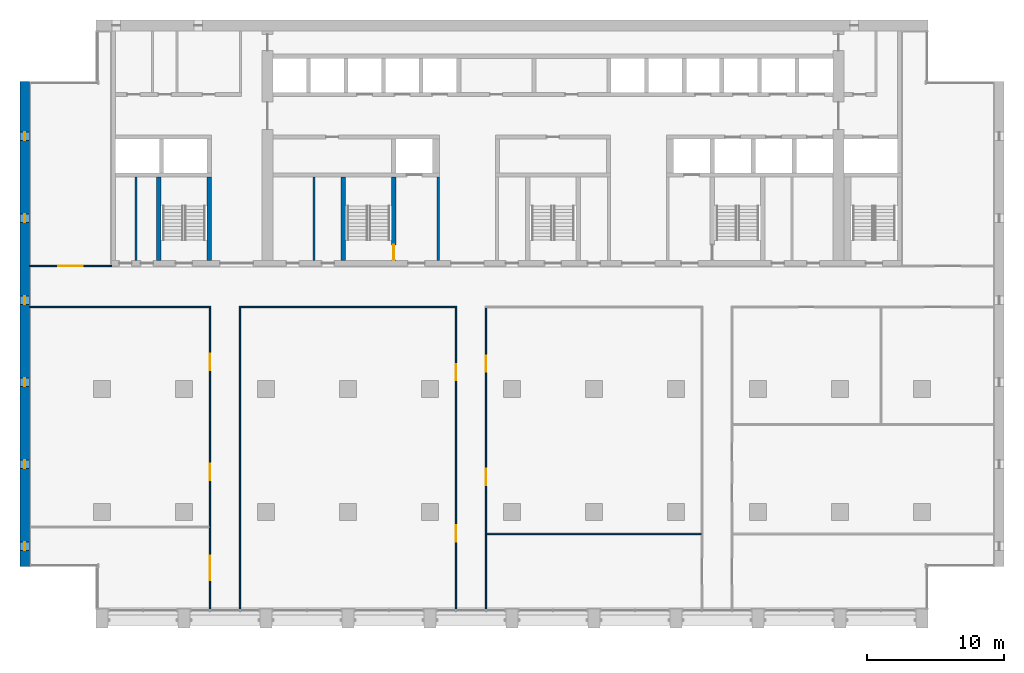
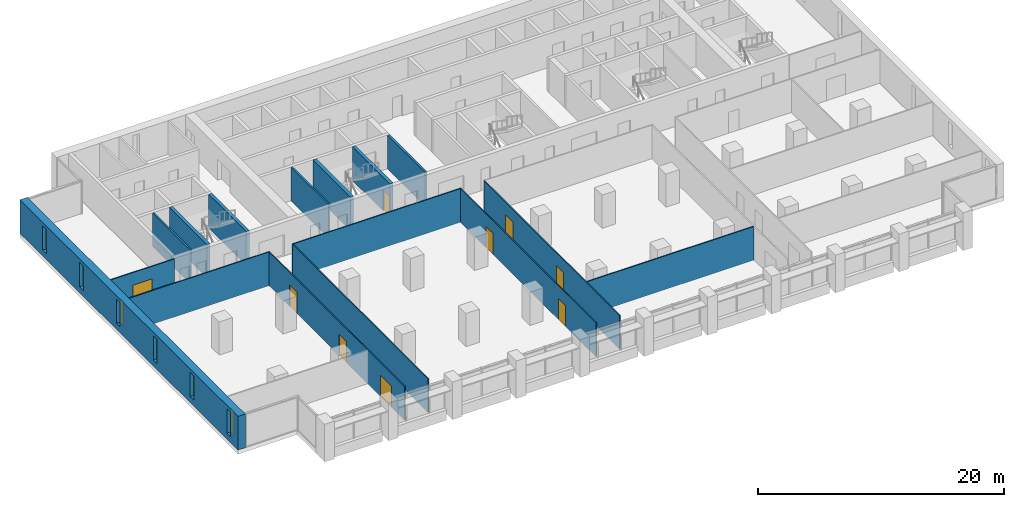
# One storey, part 8 of 16: 16 walls, 9 doors, 6 windows, 15 openings.
"""IFC4 building model written with IfcOpenShell, lengths in metres."""

import ifcopenshell
import ifcopenshell.guid

model = None  # the IFC model being written
_history = None  # IfcOwnerHistory: only IFC2X3 demands one
_inside = {}  # id of a spatial element -> (the spatial element, [elements in it])
_under = {}  # id of a project, library or spatial element -> (it, [spatial elements below it])
_declared = {}  # id of a project -> (the project, [libraries it declares])
_typed = {}  # id of a type object -> (the type object, [elements of that type])
_made_of = {}  # id of a material, layer set ... -> (it, [elements and type objects made of it])


def new_model(schema):
    """Start an empty IFC model of exactly this schema.

    Asked for "IFC4X3", IfcOpenShell would pick the latest addendum, in which some entities
    have other attributes; the version numbers below select the first issue.
    IFC2X3 requires an IfcOwnerHistory on every rooted entity: one is made here for all.
    """
    global model, _history
    if schema == "IFC4X3":
        model = ifcopenshell.file(schema_version=(4, 3, 0, 0))
    else:
        model = ifcopenshell.file(schema=schema)
    _inside.clear()
    _under.clear()
    _declared.clear()
    _typed.clear()
    _made_of.clear()
    _history = None
    if model.schema == "IFC2X3":
        org = make("IfcOrganization", Name="unknown")
        user = make(
            "IfcPersonAndOrganization",
            ThePerson=make("IfcPerson", FamilyName="unknown"),
            TheOrganization=org,
        )
        app = make(
            "IfcApplication",
            ApplicationDeveloper=org,
            Version="unknown",
            ApplicationFullName="unknown",
            ApplicationIdentifier="unknown",
        )
        _history = make(
            "IfcOwnerHistory",
            OwningUser=user,
            OwningApplication=app,
            ChangeAction="ADDED",
            CreationDate=0,
        )
    return model


def make(cls, **values):
    """One entity of the class cls with the attributes given. An attribute that is None is left unset."""
    return model.create_entity(
        cls, **{name: value for name, value in values.items() if value is not None}
    )


def rooted(cls, **values):
    """An entity with a GlobalId (a new one), such as an element, a storey or a relation."""
    return make(cls, GlobalId=ifcopenshell.guid.new(), OwnerHistory=_history, **values)


def si_unit(unit_type, name, prefix=None):
    """IfcSIUnit, for example si_unit("LENGTHUNIT", "METRE", prefix="MILLI")."""
    return make("IfcSIUnit", UnitType=unit_type, Prefix=prefix, Name=name)


def assignment(units):
    """IfcUnitAssignment: the units of a project."""
    return None if units is None else make("IfcUnitAssignment", Units=units)


def point(xyz):
    """IfcCartesianPoint."""
    return None if xyz is None else make("IfcCartesianPoint", Coordinates=xyz)


def direction(xyz):
    """IfcDirection."""
    return None if xyz is None else make("IfcDirection", DirectionRatios=xyz)


def frame(location, z_axis=None, x_axis=None):
    """IfcAxis2Placement3D, a coordinate frame: its origin and axes. An axis left out is left unset."""
    return make(
        "IfcAxis2Placement3D",
        Location=point(location),
        Axis=direction(z_axis),
        RefDirection=direction(x_axis),
    )


def frame_2d(location, x_axis=None):
    """IfcAxis2Placement2D, a coordinate frame in the plane: its origin and x axis."""
    return make(
        "IfcAxis2Placement2D", Location=point(location), RefDirection=direction(x_axis)
    )


def origin():
    """The frame at (0, 0, 0) with its axes left unset."""
    return frame((0.0, 0.0, 0.0))


def place(relative_to, where):
    """IfcLocalPlacement: puts the frame where relative to a parent placement (None: the world)."""
    return make(
        "IfcLocalPlacement", PlacementRelTo=relative_to, RelativePlacement=where
    )


def context(
    kind, dimensions, precision=None, world=None, true_north=None, identifier=None
):
    """IfcGeometricRepresentationContext, for example the 3D "Model" context."""
    return make(
        "IfcGeometricRepresentationContext",
        ContextIdentifier=identifier,
        ContextType=kind,
        CoordinateSpaceDimension=dimensions,
        Precision=precision,
        WorldCoordinateSystem=world,
        TrueNorth=true_north,
    )


def subcontext(parent, identifier, kind, view, scale=None):
    """IfcGeometricRepresentationSubContext, for example "Body" below "Model"."""
    return make(
        "IfcGeometricRepresentationSubContext",
        ContextIdentifier=identifier,
        ContextType=kind,
        ParentContext=parent,
        TargetScale=scale,
        TargetView=view,
    )


def project(units=None, contexts=None):
    """IfcProject with its units and contexts."""
    return rooted(
        "IfcProject",
        Name="project",
        RepresentationContexts=contexts,
        UnitsInContext=assignment(units),
    )


def spatial(cls, under=None, at=None, **own):
    """A site, building, storey or space (cls), placed at a placement, below another one or the project."""
    s = rooted(cls, ObjectPlacement=at, **own)
    if under is not None:
        _under.setdefault(under.id(), (under, []))[1].append(s)
    return s


def profile(cls, at=None, kind="AREA", **sizes):
    """A parametric profile (cls). Its sizes go by their IFC names, for example OverallWidth=200.0."""
    return make(cls, ProfileType=kind, Position=at, **sizes)


def rectangle(**sizes):
    """IfcRectangleProfileDef."""
    return profile("IfcRectangleProfileDef", **sizes)


def extrude(swept, where, along, depth):
    """IfcExtrudedAreaSolid: the profile swept, set in the frame where, extruded along a direction by depth."""
    return make(
        "IfcExtrudedAreaSolid",
        SweptArea=swept,
        Position=where,
        ExtrudedDirection=direction(along),
        Depth=depth,
    )


def shape(context_of_items, identifier, shape_type, items):
    """IfcShapeRepresentation: the items that make up one representation, for example the "Body"."""
    return make(
        "IfcShapeRepresentation",
        ContextOfItems=context_of_items,
        RepresentationIdentifier=identifier,
        RepresentationType=shape_type,
        Items=items,
    )


def material(Name=None, Category=None):
    """IfcMaterial."""
    return make("IfcMaterial", Name=Name, Category=Category)


def layer(
    of_material, thickness, ventilated=None, Name=None, Category=None, Priority=None
):
    """IfcMaterialLayer: one layer of a wall or slab, of a material (None: an air gap)."""
    return make(
        "IfcMaterialLayer",
        Material=of_material,
        LayerThickness=thickness,
        IsVentilated=ventilated,
        Name=Name,
        Category=Category,
        Priority=Priority,
    )


def layer_set(layers, Name=None):
    """IfcMaterialLayerSet."""
    return make("IfcMaterialLayerSet", MaterialLayers=layers, LayerSetName=Name)


def made_of(thing, what):
    """Note that an element or type object is made of a material, layer set ...; save() writes the relation."""
    if what is not None:
        _made_of.setdefault(what.id(), (what, []))[1].append(thing)
    return thing


def type_object(cls, material=None, **own):
    """A type object (cls), such as IfcWallType, which elements share."""
    return made_of(rooted(cls, **own), material)


def element(
    cls,
    number,
    at=None,
    inside=None,
    cuts=None,
    type_object=None,
    material=None,
    context=None,
    identifier="Body",
    shape_type=None,
    held_by="IfcProductDefinitionShape",
    body=None,
    shapes=None,
    **own,
):
    """One element of the class cls, such as IfcWall. Its Tag is "e" and its number.

    at: its placement. inside: the storey or other place that contains it. cuts: it is an
    opening in that element (IfcRelVoidsElement). A single representation is given by context,
    identifier, shape_type and body (its items); several are given by shapes. held_by: the class
    of the entity that holds the representations. save() writes the other relations.
    """
    e = rooted(cls, Tag="e%d" % number, ObjectPlacement=at, **own)
    if body is not None:
        shapes = [shape(context, identifier, shape_type, body)]
    if shapes is not None:
        e.Representation = make(held_by, Representations=shapes)
    if inside is not None:
        _inside.setdefault(inside.id(), (inside, []))[1].append(e)
    if cuts is not None:
        rooted(
            "IfcRelVoidsElement", RelatingBuildingElement=cuts, RelatedOpeningElement=e
        )
    if type_object is not None:
        _typed.setdefault(type_object.id(), (type_object, []))[1].append(e)
    return made_of(e, material)


def fill(opening, filler):
    """IfcRelFillsElement: the door or window that sits in an opening."""
    return rooted(
        "IfcRelFillsElement",
        RelatingOpeningElement=opening,
        RelatedBuildingElement=filler,
    )


def aggregate(whole, parts):
    """IfcRelAggregates: a whole, such as a stair, and the parts it consists of."""
    return rooted("IfcRelAggregates", RelatingObject=whole, RelatedObjects=parts)


def save(model, path):
    """Write the relations noted so far, then the file.

    IfcRelAggregates (storeys below a building ...), IfcRelContainedInSpatialStructure (elements
    in a storey), IfcRelDefinesByType, IfcRelAssociatesMaterial and IfcRelDeclares: one each for
    every whole, place, type object, material and project.
    """
    for whole, parts in _under.values():
        aggregate(whole, parts)
    for where, things in _inside.values():
        rooted(
            "IfcRelContainedInSpatialStructure",
            RelatedElements=things,
            RelatingStructure=where,
        )
    for kind, things in _typed.values():
        rooted("IfcRelDefinesByType", RelatedObjects=things, RelatingType=kind)
    for what, things in _made_of.values():
        rooted("IfcRelAssociatesMaterial", RelatedObjects=things, RelatingMaterial=what)
    for by, libraries in _declared.values():
        rooted("IfcRelDeclares", RelatingContext=by, RelatedDefinitions=libraries)
    model.write(path)


model = new_model("IFC4")

# Units and contexts
model_context = context("Model", 3, precision=1e-05, world=origin(), true_north=direction((0.0, 1.0)))
body_context = subcontext(model_context, "Body", "Model", "MODEL_VIEW")
ifc_project = project(units=[si_unit("LENGTHUNIT", "METRE"), si_unit("AREAUNIT", "SQUARE_METRE"), si_unit("VOLUMEUNIT", "CUBIC_METRE"), si_unit("PLANEANGLEUNIT", "RADIAN"), si_unit("MASSUNIT", "GRAM", prefix="KILO")], contexts=[model_context])

# Site, building, storey
site_placement = place(None, origin())
site = spatial("IfcSite", under=ifc_project, at=site_placement, CompositionType="ELEMENT")
building_placement = place(site_placement, origin())
building = spatial("IfcBuilding", under=site, at=building_placement, Name="Calvaro Tower", CompositionType="ELEMENT")
storey_placement = place(building_placement, frame((0.0, 0.0, 136.25)))
storey = spatial("IfcBuildingStorey", under=building, at=storey_placement, Name="L34", CompositionType="ELEMENT", Elevation=136.25)

# Walls
ifc_material_1 = material(Name="Blockwork partition", Category="masonry")
ifc_layer_1 = layer(ifc_material_1, 0.14990234375)
ifc_layer_set_1 = layer_set([ifc_layer_1], Name="Blockwork partition")
wall_type_1 = type_object("IfcWallType", Name="Core partition 150 EI 60", PredefinedType="PARTITIONING", material=ifc_layer_set_1)
wall_1_placement = place(storey_placement, frame((8.5, 28.39990234375, 0.0), z_axis=(0.0, 0.0, 1.0), x_axis=(0.0, 1.0, 0.0)))
element("IfcWall", 1, at=wall_1_placement, inside=storey, type_object=wall_type_1, Name="Core partition", PredefinedType="PARTITIONING", context=body_context, shape_type="SweptSolid", body=[
    extrude(rectangle(XDim=6.10009765625, YDim=0.14990234375, at=frame_2d((3.050048828125, 0.0))), origin(), (0.0, 0.0, 1.0), 3.35009765625),
])
ifc_material_2 = material(Name="Blockwork partition", Category="masonry")
ifc_layer_2 = layer(ifc_material_2, 0.14990234375)
ifc_layer_set_2 = layer_set([ifc_layer_2], Name="Blockwork partition")
wall_type_2 = type_object("IfcWallType", Name="Core partition 150 REI 120", PredefinedType="PARTITIONING", material=ifc_layer_set_2)
wall_2_placement = place(storey_placement, frame((21.5, 28.39990234375, 0.0), z_axis=(0.0, 0.0, 1.0), x_axis=(0.0, 1.0, 0.0)))
element("IfcWall", 2, at=wall_2_placement, inside=storey, type_object=wall_type_2, Name="Core partition", PredefinedType="PARTITIONING", context=body_context, shape_type="SweptSolid", body=[
    extrude(rectangle(XDim=6.10009765625, YDim=0.14990234375, at=frame_2d((3.050048828125, 0.0))), origin(), (0.0, 0.0, 1.0), 3.35009765625),
])
ifc_material_3 = material(Name="Blockwork partition", Category="masonry")
ifc_layer_3 = layer(ifc_material_3, 0.199951171875)
ifc_layer_set_3 = layer_set([ifc_layer_3], Name="Blockwork partition")
wall_type_3 = type_object("IfcWallType", Name="Core partition 200 REI 120", PredefinedType="PARTITIONING", material=ifc_layer_set_3)
wall_3_placement = place(storey_placement, frame((30.60009765625, 28.39990234375, 0.0), z_axis=(0.0, 0.0, 1.0), x_axis=(0.0, 1.0, 0.0)))
element("IfcWall", 3, at=wall_3_placement, inside=storey, type_object=wall_type_3, Name="Core partition", PredefinedType="PARTITIONING", context=body_context, shape_type="SweptSolid", body=[
    extrude(rectangle(XDim=6.10009765625, YDim=0.199951171875, at=frame_2d((3.050048828125, 0.0))), origin(), (0.0, 0.0, 1.0), 3.35009765625),
])
ifc_material_4 = material(Name="Concrete C60/75", Category="concrete")
ifc_layer_4 = layer(ifc_material_4, 0.300048828125)
ifc_layer_set_4 = layer_set([ifc_layer_4], Name="Concrete C60/75")
wall_type_4 = type_object("IfcWallType", Name="Core wall C60/75 300", PredefinedType="SHEAR", material=ifc_layer_set_4)
for number, where, z_axis, x_axis, name in (
    (4, (10.14990234375, 28.39990234375, 0.0), (0.0, 0.0, 1.0), (0.0, 1.0, 0.0), "Core wall, stair enclosure"),
    (5, (13.85009765625, 28.39990234375, 0.0), (0.0, 0.0, 1.0), (0.0, 1.0, 0.0), "Core wall, stair enclosure"),
    (6, (23.64990234375, 28.39990234375, 0.0), (0.0, 0.0, 1.0), (0.0, 1.0, 0.0), "Core wall, stair enclosure"),
):
    element("IfcWall", number, at=place(storey_placement, frame(where, z_axis=z_axis, x_axis=x_axis)), inside=storey, type_object=wall_type_4, Name=name, PredefinedType="SHEAR", context=body_context, shape_type="SweptSolid", body=[
        extrude(rectangle(XDim=6.10009765625, YDim=0.300048828125, at=frame_2d((3.050048828125, 0.0))), origin(), (0.0, 0.0, 1.0), 3.35009765625),
    ])

# Wall, opening, door
wall_4_placement = place(storey_placement, frame((27.35009765625, 28.39990234375, 0.0), z_axis=(0.0, 0.0, 1.0), x_axis=(0.0, 1.0, 0.0)))
wall_4 = element("IfcWall", 7, at=wall_4_placement, inside=storey, type_object=wall_type_4, Name="Core wall, stair enclosure", PredefinedType="SHEAR", context=body_context, shape_type="SweptSolid", body=[
    extrude(rectangle(XDim=6.10009765625, YDim=0.300048828125, at=frame_2d((3.050048828125, 0.0))), origin(), (0.0, 0.0, 1.0), 3.35009765625),
])
opening_1_placement = place(wall_4_placement, frame((0.050048828125, 0.0, 0.0)))
opening_1 = element("IfcOpeningElement", 8, at=opening_1_placement, cuts=wall_4, Name="Opening FD11D", PredefinedType="OPENING", context=body_context, shape_type="SweptSolid", body=[
    extrude(rectangle(XDim=1.10009765625, YDim=2.10009765625, at=frame_2d((0.550048828125, 1.050048828125))), frame((0.0, 0.159912109375, 0.0), z_axis=(0.0, -1.0, 0.0), x_axis=(1.0, 0.0, 0.0)), (0.0, 0.0, 1.0), 0.320068359375),
])
ifc_material_5 = material(Name="Steel door set", Category="steel")
door_type_1 = type_object("IfcDoorType", Name="Fire door 1100 FD30S", OperationType="SINGLE_SWING_LEFT", PredefinedType="DOOR", material=ifc_material_5)
door_1_placement = place(opening_1_placement, origin())
door_1 = element("IfcDoor", 9, at=door_1_placement, inside=storey, type_object=door_type_1, Name="Fire door", OperationType="SINGLE_SWING_LEFT", OverallHeight=2.10009765625, OverallWidth=1.10009765625, PredefinedType="DOOR", context=body_context, shape_type="SweptSolid", body=[
    extrude(rectangle(XDim=1.10009765625, YDim=2.10009765625, at=frame_2d((0.550048828125, 1.050048828125))), frame((0.0, 0.02490234375, 0.0), z_axis=(0.0, -1.0, 0.0), x_axis=(1.0, 0.0, 0.0)), (0.0, 0.0, 1.0), 0.050048828125),
])
fill(opening_1, door_1)

# Wall, openings, windows
ifc_material_6 = material(Name="Concrete C60/75", Category="concrete")
ifc_layer_5 = layer(ifc_material_6, 0.699951171875)
ifc_layer_set_5 = layer_set([ifc_layer_5], Name="Concrete C60/75")
wall_type_5 = type_object("IfcWallType", Name="End wall 700 C60/75", PredefinedType="SHEAR", material=ifc_layer_set_5)
wall_5_placement = place(storey_placement, frame((0.35009765625, 6.0, 0.0), z_axis=(0.0, 0.0, 1.0), x_axis=(0.0, 1.0, 0.0)))
wall_5 = element("IfcWall", 10, at=wall_5_placement, inside=storey, type_object=wall_type_5, Name="End shear wall", PredefinedType="SHEAR", context=body_context, shape_type="SweptSolid", body=[
    extrude(rectangle(XDim=35.5, YDim=0.699951171875, at=frame_2d((17.75, 0.0))), origin(), (0.0, 0.0, 1.0), 3.35009765625),
])
opening_2_placement = place(wall_5_placement, frame((1.199951171875, 0.0, 0.60009765625)))
opening_2 = element("IfcOpeningElement", 11, at=opening_2_placement, cuts=wall_5, Name="Opening WW01", PredefinedType="OPENING", context=body_context, shape_type="SweptSolid", body=[
    extrude(rectangle(XDim=0.60009765625, YDim=2.39990234375, at=frame_2d((0.300048828125, 1.199951171875))), frame((0.0, 0.35986328125, 0.0), z_axis=(0.0, -1.0, 0.0), x_axis=(1.0, 0.0, 0.0)), (0.0, 0.0, 1.0), 0.719970703125),
])
opening_3_placement = place(wall_5_placement, frame((7.199951171875, 0.0, 0.60009765625)))
opening_3 = element("IfcOpeningElement", 12, at=opening_3_placement, cuts=wall_5, Name="Opening WW02", PredefinedType="OPENING", context=body_context, shape_type="SweptSolid", body=[
    extrude(rectangle(XDim=0.60009765625, YDim=2.39990234375, at=frame_2d((0.300048828125, 1.199951171875))), frame((0.0, 0.35986328125, 0.0), z_axis=(0.0, -1.0, 0.0), x_axis=(1.0, 0.0, 0.0)), (0.0, 0.0, 1.0), 0.719970703125),
])
opening_4_placement = place(wall_5_placement, frame((13.199951171875, 0.0, 0.60009765625)))
opening_4 = element("IfcOpeningElement", 13, at=opening_4_placement, cuts=wall_5, Name="Opening WW03", PredefinedType="OPENING", context=body_context, shape_type="SweptSolid", body=[
    extrude(rectangle(XDim=0.60009765625, YDim=2.39990234375, at=frame_2d((0.300048828125, 1.199951171875))), frame((0.0, 0.35986328125, 0.0), z_axis=(0.0, -1.0, 0.0), x_axis=(1.0, 0.0, 0.0)), (0.0, 0.0, 1.0), 0.719970703125),
])
opening_5_placement = place(wall_5_placement, frame((19.199951171875, 0.0, 0.60009765625)))
opening_5 = element("IfcOpeningElement", 14, at=opening_5_placement, cuts=wall_5, Name="Opening WW04", PredefinedType="OPENING", context=body_context, shape_type="SweptSolid", body=[
    extrude(rectangle(XDim=0.60009765625, YDim=2.39990234375, at=frame_2d((0.300048828125, 1.199951171875))), frame((0.0, 0.35986328125, 0.0), z_axis=(0.0, -1.0, 0.0), x_axis=(1.0, 0.0, 0.0)), (0.0, 0.0, 1.0), 0.719970703125),
])
opening_6_placement = place(wall_5_placement, frame((25.199951171875, 0.0, 0.60009765625)))
opening_6 = element("IfcOpeningElement", 15, at=opening_6_placement, cuts=wall_5, Name="Opening WW05", PredefinedType="OPENING", context=body_context, shape_type="SweptSolid", body=[
    extrude(rectangle(XDim=0.60009765625, YDim=2.39990234375, at=frame_2d((0.300048828125, 1.199951171875))), frame((0.0, 0.35986328125, 0.0), z_axis=(0.0, -1.0, 0.0), x_axis=(1.0, 0.0, 0.0)), (0.0, 0.0, 1.0), 0.719970703125),
])
opening_7_placement = place(wall_5_placement, frame((31.199951171875, 0.0, 0.60009765625)))
opening_7 = element("IfcOpeningElement", 16, at=opening_7_placement, cuts=wall_5, Name="Opening WW06", PredefinedType="OPENING", context=body_context, shape_type="SweptSolid", body=[
    extrude(rectangle(XDim=0.60009765625, YDim=2.39990234375, at=frame_2d((0.300048828125, 1.199951171875))), frame((0.0, 0.35986328125, 0.0), z_axis=(0.0, -1.0, 0.0), x_axis=(1.0, 0.0, 0.0)), (0.0, 0.0, 1.0), 0.719970703125),
])
ifc_material_7 = material(Name="Glass", Category="glass")
window_type = type_object("IfcWindowType", Name="Slit window 600 x 2400", PartitioningType="SINGLE_PANEL", PredefinedType="WINDOW", material=ifc_material_7)
window_1_placement = place(opening_2_placement, origin())
window_1 = element("IfcWindow", 17, at=window_1_placement, inside=storey, type_object=window_type, Name="Window WW01", OverallHeight=2.39990234375, OverallWidth=0.60009765625, PartitioningType="SINGLE_PANEL", PredefinedType="WINDOW", context=body_context, shape_type="SweptSolid", body=[
    extrude(rectangle(XDim=0.60009765625, YDim=2.39990234375, at=frame_2d((0.300048828125, 1.199951171875))), frame((0.0, 0.030029296875, 0.0), z_axis=(0.0, -1.0, 0.0), x_axis=(1.0, 0.0, 0.0)), (0.0, 0.0, 1.0), 0.06005859375),
])
fill(opening_2, window_1)
window_2_placement = place(opening_3_placement, origin())
window_2 = element("IfcWindow", 18, at=window_2_placement, inside=storey, type_object=window_type, Name="Window WW02", OverallHeight=2.39990234375, OverallWidth=0.60009765625, PartitioningType="SINGLE_PANEL", PredefinedType="WINDOW", context=body_context, shape_type="SweptSolid", body=[
    extrude(rectangle(XDim=0.60009765625, YDim=2.39990234375, at=frame_2d((0.300048828125, 1.199951171875))), frame((0.0, 0.030029296875, 0.0), z_axis=(0.0, -1.0, 0.0), x_axis=(1.0, 0.0, 0.0)), (0.0, 0.0, 1.0), 0.06005859375),
])
fill(opening_3, window_2)
window_3_placement = place(opening_4_placement, origin())
window_3 = element("IfcWindow", 19, at=window_3_placement, inside=storey, type_object=window_type, Name="Window WW03", OverallHeight=2.39990234375, OverallWidth=0.60009765625, PartitioningType="SINGLE_PANEL", PredefinedType="WINDOW", context=body_context, shape_type="SweptSolid", body=[
    extrude(rectangle(XDim=0.60009765625, YDim=2.39990234375, at=frame_2d((0.300048828125, 1.199951171875))), frame((0.0, 0.030029296875, 0.0), z_axis=(0.0, -1.0, 0.0), x_axis=(1.0, 0.0, 0.0)), (0.0, 0.0, 1.0), 0.06005859375),
])
fill(opening_4, window_3)
window_4_placement = place(opening_5_placement, origin())
window_4 = element("IfcWindow", 20, at=window_4_placement, inside=storey, type_object=window_type, Name="Window WW04", OverallHeight=2.39990234375, OverallWidth=0.60009765625, PartitioningType="SINGLE_PANEL", PredefinedType="WINDOW", context=body_context, shape_type="SweptSolid", body=[
    extrude(rectangle(XDim=0.60009765625, YDim=2.39990234375, at=frame_2d((0.300048828125, 1.199951171875))), frame((0.0, 0.030029296875, 0.0), z_axis=(0.0, -1.0, 0.0), x_axis=(1.0, 0.0, 0.0)), (0.0, 0.0, 1.0), 0.06005859375),
])
fill(opening_5, window_4)
window_5_placement = place(opening_6_placement, origin())
window_5 = element("IfcWindow", 21, at=window_5_placement, inside=storey, type_object=window_type, Name="Window WW05", OverallHeight=2.39990234375, OverallWidth=0.60009765625, PartitioningType="SINGLE_PANEL", PredefinedType="WINDOW", context=body_context, shape_type="SweptSolid", body=[
    extrude(rectangle(XDim=0.60009765625, YDim=2.39990234375, at=frame_2d((0.300048828125, 1.199951171875))), frame((0.0, 0.030029296875, 0.0), z_axis=(0.0, -1.0, 0.0), x_axis=(1.0, 0.0, 0.0)), (0.0, 0.0, 1.0), 0.06005859375),
])
fill(opening_6, window_5)
window_6_placement = place(opening_7_placement, origin())
window_6 = element("IfcWindow", 22, at=window_6_placement, inside=storey, type_object=window_type, Name="Window WW06", OverallHeight=2.39990234375, OverallWidth=0.60009765625, PartitioningType="SINGLE_PANEL", PredefinedType="WINDOW", context=body_context, shape_type="SweptSolid", body=[
    extrude(rectangle(XDim=0.60009765625, YDim=2.39990234375, at=frame_2d((0.300048828125, 1.199951171875))), frame((0.0, 0.030029296875, 0.0), z_axis=(0.0, -1.0, 0.0), x_axis=(1.0, 0.0, 0.0)), (0.0, 0.0, 1.0), 0.06005859375),
])
fill(opening_7, window_6)

# Walls
ifc_material_8 = material(Name="Plasterboard on steel studs", Category="steel")
ifc_layer_6 = layer(ifc_material_8, 0.10009765625)
ifc_layer_set_6 = layer_set([ifc_layer_6], Name="Plasterboard on steel studs")
wall_type_6 = type_object("IfcWallType", Name="Partition 100", PredefinedType="PARTITIONING", material=ifc_layer_set_6)
wall_6_placement = place(storey_placement, frame((34.14990234375, 8.39990234375, 0.0), z_axis=(0.0, 0.0, 1.0), x_axis=(1.0, 0.0, 0.0)))
element("IfcWall", 23, at=wall_6_placement, inside=storey, type_object=wall_type_6, Name="Partition T21.W001", PredefinedType="PARTITIONING", context=body_context, shape_type="SweptSolid", body=[
    extrude(rectangle(XDim=15.7001953125, YDim=0.10009765625, at=frame_2d((7.85009765625, 0.0))), origin(), (0.0, 0.0, 1.0), 3.35009765625),
])
wall_7_placement = place(storey_placement, frame((0.699951171875, 25.0, 0.0), z_axis=(0.0, 0.0, 1.0), x_axis=(1.0, 0.0, 0.0)))
element("IfcWall", 24, at=wall_7_placement, inside=storey, type_object=wall_type_6, Name="Partition T21.W005", PredefinedType="PARTITIONING", context=body_context, shape_type="SweptSolid", body=[
    extrude(rectangle(XDim=13.25, YDim=0.10009765625, at=frame_2d((6.625, 0.0))), origin(), (0.0, 0.0, 1.0), 3.35009765625),
])
wall_8_placement = place(storey_placement, frame((16.050048828125, 25.0, 0.0), z_axis=(0.0, 0.0, 1.0), x_axis=(1.0, 0.0, 0.0)))
element("IfcWall", 25, at=wall_8_placement, inside=storey, type_object=wall_type_6, Name="Partition T21.W006", PredefinedType="PARTITIONING", context=body_context, shape_type="SweptSolid", body=[
    extrude(rectangle(XDim=15.89990234375, YDim=0.10009765625, at=frame_2d((7.949951171875, 0.0))), origin(), (0.0, 0.0, 1.0), 3.35009765625),
])

# Wall, opening, door
wall_9_placement = place(storey_placement, frame((0.699951171875, 28.0, 0.0), z_axis=(0.0, 0.0, 1.0), x_axis=(1.0, 0.0, 0.0)))
wall_9 = element("IfcWall", 26, at=wall_9_placement, inside=storey, type_object=wall_type_6, Name="Partition T21.W009", PredefinedType="PARTITIONING", context=body_context, shape_type="SweptSolid", body=[
    extrude(rectangle(XDim=6.0, YDim=0.10009765625, at=frame_2d((3.0, 0.0))), origin(), (0.0, 0.0, 1.0), 3.35009765625),
])
opening_8_placement = place(wall_9_placement, frame((2.10009765625, 0.0, 0.0)))
opening_8 = element("IfcOpeningElement", 27, at=opening_8_placement, cuts=wall_9, Name="Opening T21.014", PredefinedType="OPENING", context=body_context, shape_type="SweptSolid", body=[
    extrude(rectangle(XDim=1.800048828125, YDim=2.10009765625, at=frame_2d((0.89990234375, 1.050048828125))), frame((0.0, 0.06005859375, 0.0), z_axis=(0.0, -1.0, 0.0), x_axis=(1.0, 0.0, 0.0)), (0.0, 0.0, 1.0), 0.1201171875),
])
ifc_material_9 = material(Name="Timber", Category="wood")
door_type_2 = type_object("IfcDoorType", Name="Internal double door 1800 x 2100", OperationType="DOUBLE_DOOR_SINGLE_SWING", PredefinedType="DOOR", material=ifc_material_9)
door_2_placement = place(opening_8_placement, origin())
door_2 = element("IfcDoor", 28, at=door_2_placement, inside=storey, type_object=door_type_2, Name="Door T21.014", OperationType="DOUBLE_DOOR_SINGLE_SWING", OverallHeight=2.10009765625, OverallWidth=1.800048828125, PredefinedType="DOOR", context=body_context, shape_type="SweptSolid", body=[
    extrude(rectangle(XDim=1.800048828125, YDim=2.10009765625, at=frame_2d((0.89990234375, 1.050048828125))), frame((0.0, 0.02490234375, 0.0), z_axis=(0.0, -1.0, 0.0), x_axis=(1.0, 0.0, 0.0)), (0.0, 0.0, 1.0), 0.050048828125),
])
fill(opening_8, door_2)

# Wall, openings, doors
wall_10_placement = place(storey_placement, frame((13.89990234375, 2.89990234375, 0.0), z_axis=(0.0, 0.0, 1.0), x_axis=(0.0, 1.0, 0.0)))
wall_10 = element("IfcWall", 29, at=wall_10_placement, inside=storey, type_object=wall_type_6, Name="Partition T21.W011", PredefinedType="PARTITIONING", context=body_context, shape_type="SweptSolid", body=[
    extrude(rectangle(XDim=22.050048828125, YDim=0.10009765625, at=frame_2d((11.02490234375, 0.0))), origin(), (0.0, 0.0, 1.0), 3.35009765625),
])
opening_9_placement = place(wall_10_placement, frame((2.10009765625, 0.0, 0.0)))
opening_9 = element("IfcOpeningElement", 30, at=opening_9_placement, cuts=wall_10, Name="Opening T21.003", PredefinedType="OPENING", context=body_context, shape_type="SweptSolid", body=[
    extrude(rectangle(XDim=1.800048828125, YDim=2.10009765625, at=frame_2d((0.89990234375, 1.050048828125))), frame((0.0, 0.06005859375, 0.0), z_axis=(0.0, -1.0, 0.0), x_axis=(1.0, 0.0, 0.0)), (0.0, 0.0, 1.0), 0.1201171875),
])
opening_10_placement = place(wall_10_placement, frame((9.425048828125, 0.0, 0.0)))
opening_10 = element("IfcOpeningElement", 31, at=opening_10_placement, cuts=wall_10, Name="Opening T21.010", PredefinedType="OPENING", context=body_context, shape_type="SweptSolid", body=[
    extrude(rectangle(XDim=1.199951171875, YDim=2.10009765625, at=frame_2d((0.60009765625, 1.050048828125))), frame((0.0, 0.06005859375, 0.0), z_axis=(0.0, -1.0, 0.0), x_axis=(1.0, 0.0, 0.0)), (0.0, 0.0, 1.0), 0.1201171875),
])
opening_11_placement = place(wall_10_placement, frame((17.47509765625, 0.0, 0.0)))
opening_11 = element("IfcOpeningElement", 32, at=opening_11_placement, cuts=wall_10, Name="Opening T21.011", PredefinedType="OPENING", context=body_context, shape_type="SweptSolid", body=[
    extrude(rectangle(XDim=1.199951171875, YDim=2.10009765625, at=frame_2d((0.60009765625, 1.050048828125))), frame((0.0, 0.06005859375, 0.0), z_axis=(0.0, -1.0, 0.0), x_axis=(1.0, 0.0, 0.0)), (0.0, 0.0, 1.0), 0.1201171875),
])
door_3_placement = place(opening_9_placement, origin())
door_3 = element("IfcDoor", 33, at=door_3_placement, inside=storey, type_object=door_type_2, Name="Door T21.003", OperationType="DOUBLE_DOOR_SINGLE_SWING", OverallHeight=2.10009765625, OverallWidth=1.800048828125, PredefinedType="DOOR", context=body_context, shape_type="SweptSolid", body=[
    extrude(rectangle(XDim=1.800048828125, YDim=2.10009765625, at=frame_2d((0.89990234375, 1.050048828125))), frame((0.0, 0.02490234375, 0.0), z_axis=(0.0, -1.0, 0.0), x_axis=(1.0, 0.0, 0.0)), (0.0, 0.0, 1.0), 0.050048828125),
])
fill(opening_9, door_3)
ifc_material_10 = material(Name="Timber", Category="wood")
door_type_3 = type_object("IfcDoorType", Name="Internal single door 1200 x 2100", OperationType="SINGLE_SWING_LEFT", PredefinedType="DOOR", material=ifc_material_10)
door_4_placement = place(opening_10_placement, origin())
door_4 = element("IfcDoor", 34, at=door_4_placement, inside=storey, type_object=door_type_3, Name="Door T21.010", OperationType="SINGLE_SWING_LEFT", OverallHeight=2.10009765625, OverallWidth=1.199951171875, PredefinedType="DOOR", context=body_context, shape_type="SweptSolid", body=[
    extrude(rectangle(XDim=1.199951171875, YDim=2.10009765625, at=frame_2d((0.60009765625, 1.050048828125))), frame((0.0, 0.02490234375, 0.0), z_axis=(0.0, -1.0, 0.0), x_axis=(1.0, 0.0, 0.0)), (0.0, 0.0, 1.0), 0.050048828125),
])
fill(opening_10, door_4)
door_5_placement = place(opening_11_placement, origin())
door_5 = element("IfcDoor", 35, at=door_5_placement, inside=storey, type_object=door_type_3, Name="Door T21.011", OperationType="SINGLE_SWING_RIGHT", OverallHeight=2.10009765625, OverallWidth=1.199951171875, PredefinedType="DOOR", context=body_context, shape_type="SweptSolid", body=[
    extrude(rectangle(XDim=1.199951171875, YDim=2.10009765625, at=frame_2d((0.60009765625, 1.050048828125))), frame((0.0, 0.02490234375, 0.0), z_axis=(0.0, -1.0, 0.0), x_axis=(1.0, 0.0, 0.0)), (0.0, 0.0, 1.0), 0.050048828125),
])
fill(opening_11, door_5)

# Wall
wall_11_placement = place(storey_placement, frame((16.10009765625, 2.89990234375, 0.0), z_axis=(0.0, 0.0, 1.0), x_axis=(0.0, 1.0, 0.0)))
element("IfcWall", 36, at=wall_11_placement, inside=storey, type_object=wall_type_6, Name="Partition T21.W012", PredefinedType="PARTITIONING", context=body_context, shape_type="SweptSolid", body=[
    extrude(rectangle(XDim=22.050048828125, YDim=0.10009765625, at=frame_2d((11.02490234375, 0.0))), origin(), (0.0, 0.0, 1.0), 3.35009765625),
])

# Wall, openings, doors
wall_12_placement = place(storey_placement, frame((31.89990234375, 2.89990234375, 0.0), z_axis=(0.0, 0.0, 1.0), x_axis=(0.0, 1.0, 0.0)))
wall_12 = element("IfcWall", 37, at=wall_12_placement, inside=storey, type_object=wall_type_6, Name="Partition T21.W013", PredefinedType="PARTITIONING", context=body_context, shape_type="SweptSolid", body=[
    extrude(rectangle(XDim=22.050048828125, YDim=0.10009765625, at=frame_2d((11.02490234375, 0.0))), origin(), (0.0, 0.0, 1.0), 3.35009765625),
])
opening_12_placement = place(wall_12_placement, frame((4.925048828125, 0.0, 0.0)))
opening_12 = element("IfcOpeningElement", 38, at=opening_12_placement, cuts=wall_12, Name="Opening T21.006", PredefinedType="OPENING", context=body_context, shape_type="SweptSolid", body=[
    extrude(rectangle(XDim=1.199951171875, YDim=2.10009765625, at=frame_2d((0.60009765625, 1.050048828125))), frame((0.0, 0.06005859375, 0.0), z_axis=(0.0, -1.0, 0.0), x_axis=(1.0, 0.0, 0.0)), (0.0, 0.0, 1.0), 0.1201171875),
])
opening_13_placement = place(wall_12_placement, frame((16.72509765625, 0.0, 0.0)))
opening_13 = element("IfcOpeningElement", 39, at=opening_13_placement, cuts=wall_12, Name="Opening T21.007", PredefinedType="OPENING", context=body_context, shape_type="SweptSolid", body=[
    extrude(rectangle(XDim=1.199951171875, YDim=2.10009765625, at=frame_2d((0.60009765625, 1.050048828125))), frame((0.0, 0.06005859375, 0.0), z_axis=(0.0, -1.0, 0.0), x_axis=(1.0, 0.0, 0.0)), (0.0, 0.0, 1.0), 0.1201171875),
])
door_6_placement = place(opening_12_placement, origin())
door_6 = element("IfcDoor", 40, at=door_6_placement, inside=storey, type_object=door_type_3, Name="Door T21.006", OperationType="SINGLE_SWING_LEFT", OverallHeight=2.10009765625, OverallWidth=1.199951171875, PredefinedType="DOOR", context=body_context, shape_type="SweptSolid", body=[
    extrude(rectangle(XDim=1.199951171875, YDim=2.10009765625, at=frame_2d((0.60009765625, 1.050048828125))), frame((0.0, 0.02490234375, 0.0), z_axis=(0.0, -1.0, 0.0), x_axis=(1.0, 0.0, 0.0)), (0.0, 0.0, 1.0), 0.050048828125),
])
fill(opening_12, door_6)
door_7_placement = place(opening_13_placement, origin())
door_7 = element("IfcDoor", 41, at=door_7_placement, inside=storey, type_object=door_type_3, Name="Door T21.007", OperationType="SINGLE_SWING_RIGHT", OverallHeight=2.10009765625, OverallWidth=1.199951171875, PredefinedType="DOOR", context=body_context, shape_type="SweptSolid", body=[
    extrude(rectangle(XDim=1.199951171875, YDim=2.10009765625, at=frame_2d((0.60009765625, 1.050048828125))), frame((0.0, 0.02490234375, 0.0), z_axis=(0.0, -1.0, 0.0), x_axis=(1.0, 0.0, 0.0)), (0.0, 0.0, 1.0), 0.050048828125),
])
fill(opening_13, door_7)

wall_13_placement = place(storey_placement, frame((34.10009765625, 2.89990234375, 0.0), z_axis=(0.0, 0.0, 1.0), x_axis=(0.0, 1.0, 0.0)))
wall_13 = element("IfcWall", 42, at=wall_13_placement, inside=storey, type_object=wall_type_6, Name="Partition T21.W014", PredefinedType="PARTITIONING", context=body_context, shape_type="SweptSolid", body=[
    extrude(rectangle(XDim=22.050048828125, YDim=0.10009765625, at=frame_2d((11.02490234375, 0.0))), origin(), (0.0, 0.0, 1.0), 3.35009765625),
])
opening_14_placement = place(wall_13_placement, frame((9.050048828125, 0.0, 0.0)))
opening_14 = element("IfcOpeningElement", 43, at=opening_14_placement, cuts=wall_13, Name="Opening T21.008", PredefinedType="OPENING", context=body_context, shape_type="SweptSolid", body=[
    extrude(rectangle(XDim=1.199951171875, YDim=2.10009765625, at=frame_2d((0.60009765625, 1.050048828125))), frame((0.0, 0.06005859375, 0.0), z_axis=(0.0, -1.0, 0.0), x_axis=(1.0, 0.0, 0.0)), (0.0, 0.0, 1.0), 0.1201171875),
])
opening_15_placement = place(wall_13_placement, frame((17.35009765625, 0.0, 0.0)))
opening_15 = element("IfcOpeningElement", 44, at=opening_15_placement, cuts=wall_13, Name="Opening T21.009", PredefinedType="OPENING", context=body_context, shape_type="SweptSolid", body=[
    extrude(rectangle(XDim=1.199951171875, YDim=2.10009765625, at=frame_2d((0.60009765625, 1.050048828125))), frame((0.0, 0.06005859375, 0.0), z_axis=(0.0, -1.0, 0.0), x_axis=(1.0, 0.0, 0.0)), (0.0, 0.0, 1.0), 0.1201171875),
])
door_8_placement = place(opening_14_placement, origin())
door_8 = element("IfcDoor", 45, at=door_8_placement, inside=storey, type_object=door_type_3, Name="Door T21.008", OperationType="SINGLE_SWING_LEFT", OverallHeight=2.10009765625, OverallWidth=1.199951171875, PredefinedType="DOOR", context=body_context, shape_type="SweptSolid", body=[
    extrude(rectangle(XDim=1.199951171875, YDim=2.10009765625, at=frame_2d((0.60009765625, 1.050048828125))), frame((0.0, 0.02490234375, 0.0), z_axis=(0.0, -1.0, 0.0), x_axis=(1.0, 0.0, 0.0)), (0.0, 0.0, 1.0), 0.050048828125),
])
fill(opening_14, door_8)
door_9_placement = place(opening_15_placement, origin())
door_9 = element("IfcDoor", 46, at=door_9_placement, inside=storey, type_object=door_type_3, Name="Door T21.009", OperationType="SINGLE_SWING_RIGHT", OverallHeight=2.10009765625, OverallWidth=1.199951171875, PredefinedType="DOOR", context=body_context, shape_type="SweptSolid", body=[
    extrude(rectangle(XDim=1.199951171875, YDim=2.10009765625, at=frame_2d((0.60009765625, 1.050048828125))), frame((0.0, 0.02490234375, 0.0), z_axis=(0.0, -1.0, 0.0), x_axis=(1.0, 0.0, 0.0)), (0.0, 0.0, 1.0), 0.050048828125),
])
fill(opening_15, door_9)

save(model, "model.ifc")
